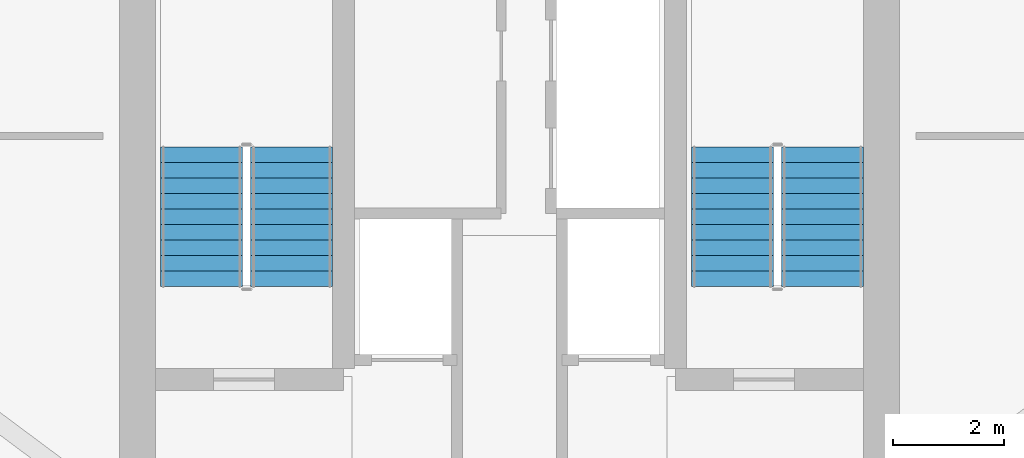
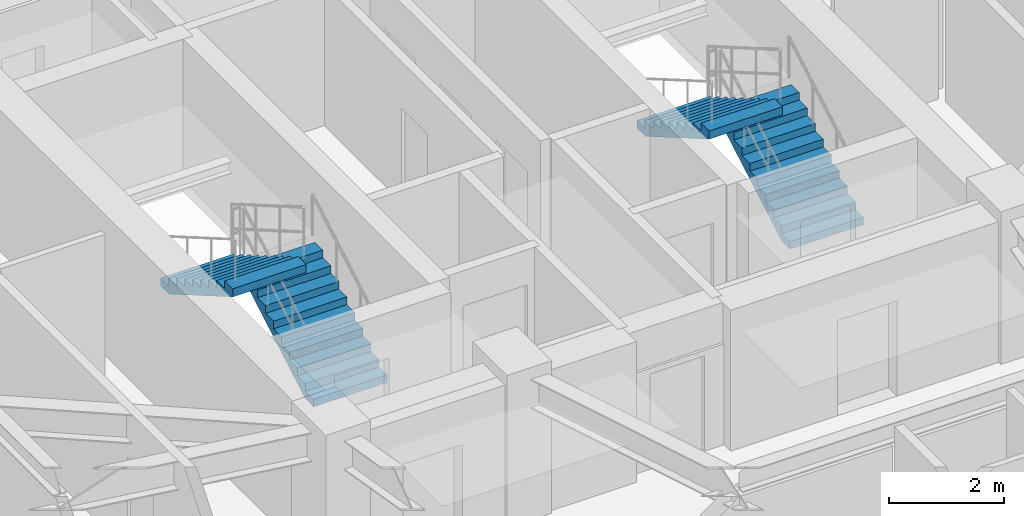
# One storey, part 32 of 34: 4 stair flights, 2 elements without a shape of their own.
"""IFC4 building model written with IfcOpenShell, lengths in metres."""

from ifc_helpers import new_model, si_unit, direction, frame, origin, place, context, subcontext, project, spatial, polyline, outline, extrude, material, type_object, element, aggregate, save


model = new_model("IFC4")

# Units and contexts
model_context = context("Model", 3, precision=1e-05, world=origin(), true_north=direction((0.0, 1.0)))
body_context = subcontext(model_context, "Body", "Model", "MODEL_VIEW")
ifc_project = project(units=[si_unit("LENGTHUNIT", "METRE"), si_unit("AREAUNIT", "SQUARE_METRE"), si_unit("VOLUMEUNIT", "CUBIC_METRE"), si_unit("PLANEANGLEUNIT", "RADIAN"), si_unit("MASSUNIT", "GRAM", prefix="KILO")], contexts=[model_context])

# Site, building, storey
site_placement = place(None, origin())
site = spatial("IfcSite", under=ifc_project, at=site_placement, CompositionType="ELEMENT")
building_placement = place(site_placement, origin())
building = spatial("IfcBuilding", under=site, at=building_placement, Name="Veraguas Prism Commons", CompositionType="ELEMENT")
storey_placement = place(building_placement, frame((0.0, 0.0, 149.0)))
storey = spatial("IfcBuildingStorey", under=building, at=storey_placement, Name="L42", CompositionType="ELEMENT", Elevation=149.0)

# Stair, stair flights
ifc_material = material(Name="Precast concrete C45/55", Category="concrete")
stair_type = type_object("IfcStairType", Name="Dogleg Core Stair 1480W 20R 05", PredefinedType="HALF_TURN_STAIR", material=ifc_material)
stair_1_placement = place(storey_placement, origin())
stair_1 = element("IfcStair", 1, at=stair_1_placement, inside=storey, type_object=stair_type, Name="Protected Exit Stair ST-01 L42", PredefinedType="HALF_TURN_STAIR")
stair_flight_type = type_object("IfcStairFlightType", Name="Precast Stair Flight 1480W 10R 05", PredefinedType="STRAIGHT", material=ifc_material)
stair_flight_1_placement = place(storey_placement, frame((20.06005859375, 21.280029296875, 0.0), z_axis=(0.0, 0.0, 1.0), x_axis=(0.0, 1.0, 0.0)))
stair_flight_1 = element("IfcStairFlight", 2, at=stair_flight_1_placement, type_object=stair_flight_type, Name="ST-05 Flight 1", NumberOfRisers=10, NumberOfTreads=9, PredefinedType="STRAIGHT", RiserHeight=0.1625, TreadLength=0.28, context=body_context, shape_type="SweptSolid", body=[
    extrude(outline(polyline([(0.0, 0.0), (0.0, 0.16259765625), (0.280029296875, 0.16259765625), (0.280029296875, 0.324951171875), (0.56005859375, 0.324951171875), (0.56005859375, 0.487548828125), (0.840087890625, 0.487548828125), (0.840087890625, 0.64990234375), (1.1201171875, 0.64990234375), (1.1201171875, 0.8125), (1.39990234375, 0.8125), (1.39990234375, 0.97509765625), (1.679931640625, 0.97509765625), (1.679931640625, 1.137451171875), (1.9599609375, 1.137451171875), (1.9599609375, 1.300048828125), (2.239990234375, 1.300048828125), (2.239990234375, 1.46240234375), (2.52001953125, 1.46240234375), (2.52001953125, 1.625), (2.52001953125, 1.2890625), (0.298583984375, 0.0), (0.0, 0.0)])), frame((0.0, 0.739990234375, 0.0), z_axis=(0.0, -1.0, 0.0), x_axis=(1.0, 0.0, 0.0)), (0.0, 0.0, 1.0), 1.47998046875),
])
stair_flight_2_placement = place(storey_placement, frame((18.429931640625, 23.800048828125, 1.625), z_axis=(0.0, 0.0, 1.0), x_axis=(0.0, -1.0, 0.0)))
stair_flight_2 = element("IfcStairFlight", 3, at=stair_flight_2_placement, type_object=stair_flight_type, Name="ST-05 Flight 2", NumberOfRisers=10, NumberOfTreads=9, PredefinedType="STRAIGHT", RiserHeight=0.1625, TreadLength=0.28, context=body_context, shape_type="SweptSolid", body=[
    extrude(outline(polyline([(0.0, 0.0), (0.0, 0.16259765625), (0.280029296875, 0.16259765625), (0.280029296875, 0.324951171875), (0.56005859375, 0.324951171875), (0.56005859375, 0.487548828125), (0.840087890625, 0.487548828125), (0.840087890625, 0.64990234375), (1.1201171875, 0.64990234375), (1.1201171875, 0.8125), (1.39990234375, 0.8125), (1.39990234375, 0.97509765625), (1.679931640625, 0.97509765625), (1.679931640625, 1.137451171875), (1.9599609375, 1.137451171875), (1.9599609375, 1.300048828125), (2.239990234375, 1.300048828125), (2.239990234375, 1.46240234375), (2.52001953125, 1.46240234375), (2.52001953125, 1.625), (2.52001953125, 1.2890625), (0.298583984375, 0.0), (0.0, 0.0)])), frame((0.0, 0.739990234375, 0.0), z_axis=(0.0, -1.0, 0.0), x_axis=(1.0, 0.0, 0.0)), (0.0, 0.0, 1.0), 1.47998046875),
])
aggregate(stair_1, [stair_flight_1, stair_flight_2])

stair_2_placement = place(storey_placement, origin())
stair_2 = element("IfcStair", 4, at=stair_2_placement, inside=storey, type_object=stair_type, Name="Protected Exit Stair ST-02 L42", PredefinedType="HALF_TURN_STAIR")
stair_flight_3_placement = place(storey_placement, frame((29.659912109375, 21.280029296875, 0.0), z_axis=(0.0, 0.0, 1.0), x_axis=(0.0, 1.0, 0.0)))
stair_flight_3 = element("IfcStairFlight", 5, at=stair_flight_3_placement, type_object=stair_flight_type, Name="ST-05 Flight 1", NumberOfRisers=10, NumberOfTreads=9, PredefinedType="STRAIGHT", RiserHeight=0.1625, TreadLength=0.28, context=body_context, shape_type="SweptSolid", body=[
    extrude(outline(polyline([(0.0, 0.0), (0.0, 0.16259765625), (0.280029296875, 0.16259765625), (0.280029296875, 0.324951171875), (0.56005859375, 0.324951171875), (0.56005859375, 0.487548828125), (0.840087890625, 0.487548828125), (0.840087890625, 0.64990234375), (1.1201171875, 0.64990234375), (1.1201171875, 0.8125), (1.39990234375, 0.8125), (1.39990234375, 0.97509765625), (1.679931640625, 0.97509765625), (1.679931640625, 1.137451171875), (1.9599609375, 1.137451171875), (1.9599609375, 1.300048828125), (2.239990234375, 1.300048828125), (2.239990234375, 1.46240234375), (2.52001953125, 1.46240234375), (2.52001953125, 1.625), (2.52001953125, 1.2890625), (0.298583984375, 0.0), (0.0, 0.0)])), frame((0.0, 0.739990234375, 0.0), z_axis=(0.0, -1.0, 0.0), x_axis=(1.0, 0.0, 0.0)), (0.0, 0.0, 1.0), 1.47998046875),
])
stair_flight_4_placement = place(storey_placement, frame((28.030029296875, 23.800048828125, 1.625), z_axis=(0.0, 0.0, 1.0), x_axis=(0.0, -1.0, 0.0)))
stair_flight_4 = element("IfcStairFlight", 6, at=stair_flight_4_placement, type_object=stair_flight_type, Name="ST-05 Flight 2", NumberOfRisers=10, NumberOfTreads=9, PredefinedType="STRAIGHT", RiserHeight=0.1625, TreadLength=0.28, context=body_context, shape_type="SweptSolid", body=[
    extrude(outline(polyline([(0.0, 0.0), (0.0, 0.16259765625), (0.280029296875, 0.16259765625), (0.280029296875, 0.324951171875), (0.56005859375, 0.324951171875), (0.56005859375, 0.487548828125), (0.840087890625, 0.487548828125), (0.840087890625, 0.64990234375), (1.1201171875, 0.64990234375), (1.1201171875, 0.8125), (1.39990234375, 0.8125), (1.39990234375, 0.97509765625), (1.679931640625, 0.97509765625), (1.679931640625, 1.137451171875), (1.9599609375, 1.137451171875), (1.9599609375, 1.300048828125), (2.239990234375, 1.300048828125), (2.239990234375, 1.46240234375), (2.52001953125, 1.46240234375), (2.52001953125, 1.625), (2.52001953125, 1.2890625), (0.298583984375, 0.0), (0.0, 0.0)])), frame((0.0, 0.739990234375, 0.0), z_axis=(0.0, -1.0, 0.0), x_axis=(1.0, 0.0, 0.0)), (0.0, 0.0, 1.0), 1.47998046875),
])
aggregate(stair_2, [stair_flight_3, stair_flight_4])

save(model, "model.ifc")
